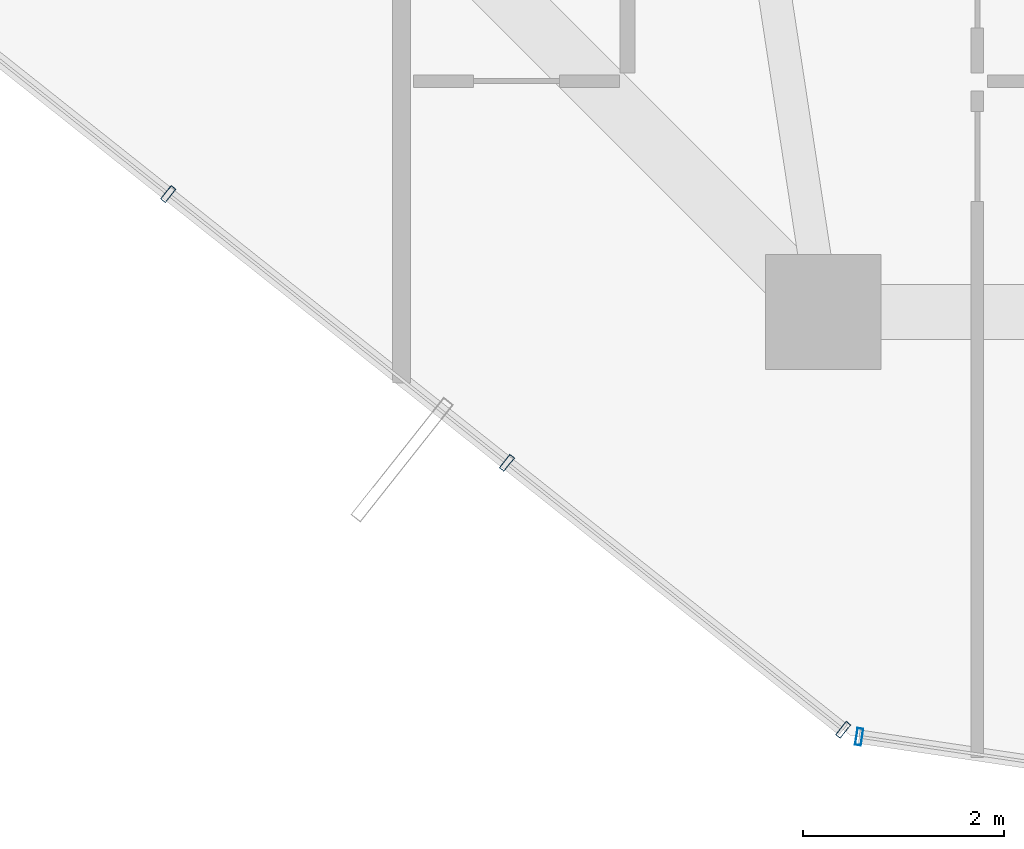
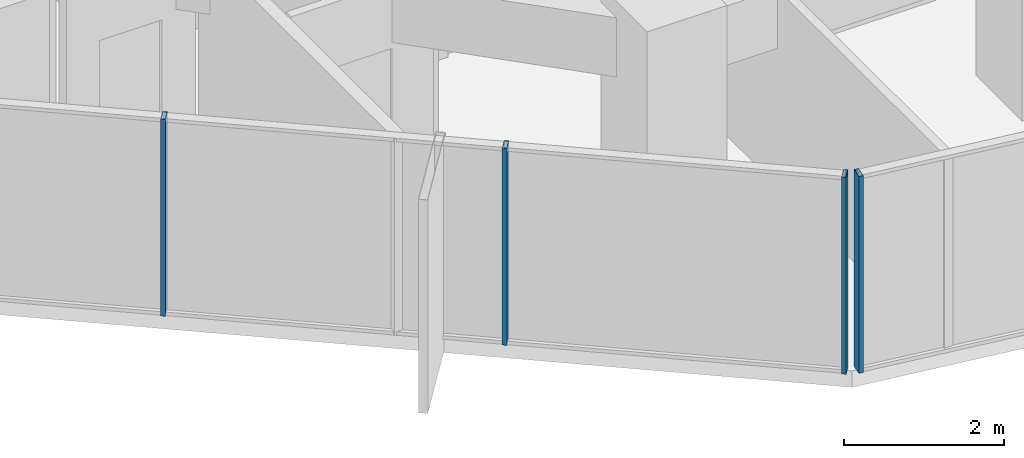
# One storey, part 2 of 29: 4 members, 2 elements without a shape of their own.
"""IFC4 building model written with IfcOpenShell, lengths in metres."""

from ifc_helpers import new_model, si_unit, direction, frame, origin, origin_2d, place, context, subcontext, project, spatial, hollow_rectangle, extrude, source, transform, mapped, material, layer, layer_set, material_profile, profile_set, type_object, element, aggregate, save


model = new_model("IFC4")

# Units and contexts
model_context = context("Model", 3, precision=1e-05, world=origin(), true_north=direction((0.0, 1.0)))
body_context = subcontext(model_context, "Body", "Model", "MODEL_VIEW")
ifc_project = project(units=[si_unit("LENGTHUNIT", "METRE"), si_unit("AREAUNIT", "SQUARE_METRE"), si_unit("VOLUMEUNIT", "CUBIC_METRE"), si_unit("PLANEANGLEUNIT", "RADIAN"), si_unit("MASSUNIT", "GRAM", prefix="KILO")], contexts=[model_context])

# Site, building, storey
site_placement = place(None, origin())
site = spatial("IfcSite", under=ifc_project, at=site_placement, CompositionType="ELEMENT")
building_placement = place(site_placement, origin())
building = spatial("IfcBuilding", under=site, at=building_placement, Name="Veraguas Prism Commons", CompositionType="ELEMENT")
storey_placement = place(building_placement, frame((0.0, 0.0, 99.199951171875)))
storey = spatial("IfcBuildingStorey", under=building, at=storey_placement, Name="L27", CompositionType="ELEMENT", Elevation=99.199951171875)

# Curtain wall, members
ifc_material = material(Name="Anodised aluminium EN AW-6063 T6", Category="aluminium")
ifc_layer = layer(ifc_material, 0.169921875, Name="Unitised Flush Curtain Wall Zone 2", Category="aluminium")
ifc_layer_set = layer_set([ifc_layer], Name="Anodised aluminium EN AW-6063 T6")
curtain_wall_type = type_object("IfcCurtainWallType", Name="Unitised Flush Curtain Wall Zone 2", PredefinedType="NOTDEFINED", material=ifc_layer_set)
curtain_wall_1_placement = place(storey_placement, origin())
curtain_wall_1 = element("IfcCurtainWall", 1, at=curtain_wall_1_placement, inside=storey, type_object=curtain_wall_type, Name="Tower Facade Curtain Wall L27-F4", PredefinedType="NOTDEFINED")
ifc_material_profile = material_profile(ifc_material, hollow_rectangle(XDim=0.06005859375, YDim=0.169921875, WallThickness=0.00390625, at=origin_2d()), Name="AL60X170X4")
ifc_profile_set = profile_set([ifc_material_profile], Name="Anodised aluminium EN AW-6063 T6")
member_type = type_object("IfcMemberType", Name="Curtain Wall Mullion Lower AL 60x170x4", PredefinedType="MULLION", material=ifc_profile_set)
shared_shape = source(origin(), body_context, "Body", "SweptSolid", [
    extrude(hollow_rectangle(XDim=0.06005859375, YDim=0.169921875, WallThickness=0.00390625, at=origin_2d()), origin(), (0.0, 0.0, 1.0), 3.0),
])
member_1_placement = place(storey_placement, frame((12.074462890625, 8.97509765625, 0.0), z_axis=(0.0, 0.0, 1.0), x_axis=(0.783260708484, -0.621693383063, 0.0)))
member_1 = element("IfcMember", 2, at=member_1_placement, type_object=member_type, Name="CW-Z2 Mullion 3", PredefinedType="MULLION", context=body_context, shape_type="MappedRepresentation", body=[
    mapped(shared_shape, transform((0.0, 0.0, 0.0), scale=1.0)),
])
member_2_placement = place(storey_placement, frame((15.44921875, 6.296630859375, 0.0), z_axis=(0.0, 0.0, 1.0), x_axis=(0.783260708484, -0.621693383063, 0.0)))
member_2 = element("IfcMember", 3, at=member_2_placement, type_object=member_type, Name="CW-Z2 Mullion 4", PredefinedType="MULLION", context=body_context, shape_type="MappedRepresentation", body=[
    mapped(shared_shape, transform((0.0, 0.0, 0.0), scale=1.0)),
])
member_3_placement = place(storey_placement, frame((18.80029296875, 3.636474609375, 0.0), z_axis=(0.0, 0.0, 1.0), x_axis=(0.783260708484, -0.621693383063, 0.0)))
member_3 = element("IfcMember", 4, at=member_3_placement, type_object=member_type, Name="CW-Z2 Mullion 5", PredefinedType="MULLION", context=body_context, shape_type="MappedRepresentation", body=[
    mapped(shared_shape, transform((0.0, 0.0, 0.0), scale=1.0)),
])
aggregate(curtain_wall_1, [member_1, member_2, member_3])

# Curtain wall, member
curtain_wall_2_placement = place(storey_placement, origin())
curtain_wall_2 = element("IfcCurtainWall", 5, at=curtain_wall_2_placement, inside=storey, type_object=curtain_wall_type, Name="Chamfer Curtain Wall L27-C5", PredefinedType="NOTDEFINED")
member_4_placement = place(storey_placement, frame((18.9599609375, 3.5673828125, 0.0), z_axis=(0.0, 0.0, 1.0), x_axis=(0.989167801062, -0.146789173113, 0.0)))
member_4 = element("IfcMember", 6, at=member_4_placement, type_object=member_type, Name="CW-Z2 Mullion 1", PredefinedType="MULLION", context=body_context, shape_type="MappedRepresentation", body=[
    mapped(shared_shape, transform((0.0, 0.0, 0.0), scale=1.0)),
])
aggregate(curtain_wall_2, [member_4])

save(model, "model.ifc")
